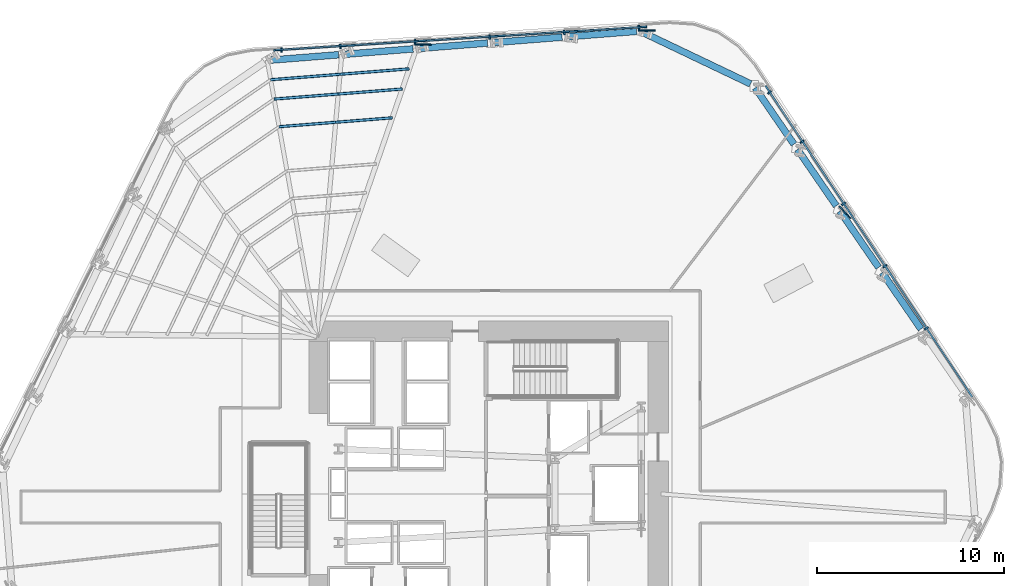
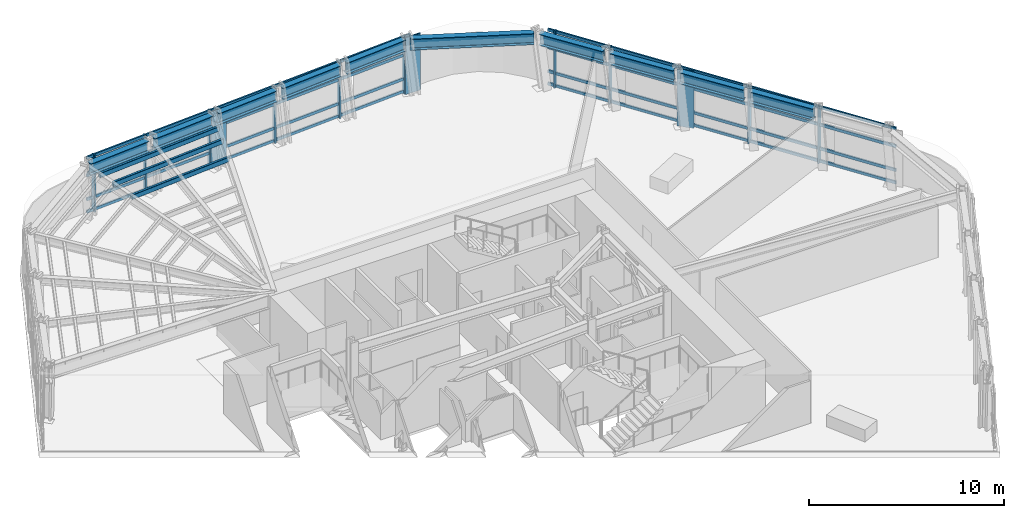
# One storey, part 6 of 15: 28 members, 10 beams, 2 elements without a shape of their own.
"""IFC4 building model written with IfcOpenShell, lengths in metres."""

from ifc_helpers import new_model, si_unit, direction, frame, origin, origin_2d, place, context, subcontext, project, spatial, rectangle, hollow_rectangle, i_section, extrude, material, layer, layer_set, material_profile, profile_set, type_object, element, aggregate, save


model = new_model("IFC4")

# Units and contexts
model_context = context("Model", 3, precision=1e-05, world=origin(), true_north=direction((0.0, 1.0)))
body_context = subcontext(model_context, "Body", "Model", "MODEL_VIEW")
ifc_project = project(units=[si_unit("LENGTHUNIT", "METRE"), si_unit("AREAUNIT", "SQUARE_METRE"), si_unit("VOLUMEUNIT", "CUBIC_METRE"), si_unit("PLANEANGLEUNIT", "RADIAN"), si_unit("MASSUNIT", "GRAM", prefix="KILO")], contexts=[model_context])

# Site, building, storey
site_placement = place(None, origin())
site = spatial("IfcSite", under=ifc_project, at=site_placement, CompositionType="ELEMENT")
building_placement = place(site_placement, origin())
building = spatial("IfcBuilding", under=site, at=building_placement, Name="Valkerne Bourse Tower", CompositionType="ELEMENT")
storey_placement = place(building_placement, frame((0.0, 0.0, 39.199951171875)))
storey = spatial("IfcBuildingStorey", under=building, at=storey_placement, Name="L09", CompositionType="ELEMENT", Elevation=39.199951171875)

# Beams
ifc_material_1 = material(Name="Steel ASTM A992", Category="steel")
ifc_material_profile_1 = material_profile(ifc_material_1, i_section(OverallWidth=0.358154296875, OverallDepth=0.7060546875, WebThickness=0.018310546875, FlangeThickness=0.0302734375, FilletRadius=0.02294921875, at=origin_2d()), Name="W27X178")
ifc_profile_set_1 = profile_set([ifc_material_profile_1], Name="Steel ASTM A992")
beam_type = type_object("IfcBeamType", Name="BM-W27X178", PredefinedType="SPANDREL", material=ifc_profile_set_1)
beam_1_placement = place(storey_placement, frame((69.904296875, 35.812255859375, 3.22705078125), z_axis=(-0.566418287264, 0.824117906523, 0.0), x_axis=(-0.824117906523, -0.566418287264, 0.0)))
element("IfcBeam", 1, at=beam_1_placement, inside=storey, type_object=beam_type, Name="L09 Hexagonal Spandrel Ring Beam 01", PredefinedType="SPANDREL", context=body_context, shape_type="SweptSolid", body=[
    extrude(i_section(OverallWidth=0.358154296875, OverallDepth=0.7060546875, WebThickness=0.018310546875, FlangeThickness=0.0302734375, FilletRadius=0.02294921875, at=origin_2d()), origin(), (0.0, 0.0, 1.0), 3.656005859375),
])
beam_2_placement = place(storey_placement, frame((67.640869140625, 39.10546875, 3.22705078125), z_axis=(-0.566372930471, 0.824149078522, 0.0), x_axis=(-0.824149078522, -0.566372930471, 0.0)))
element("IfcBeam", 2, at=beam_2_placement, inside=storey, type_object=beam_type, Name="L09 Hexagonal Spandrel Ring Beam 02", PredefinedType="SPANDREL", context=body_context, shape_type="SweptSolid", body=[
    extrude(i_section(OverallWidth=0.358154296875, OverallDepth=0.7060546875, WebThickness=0.018310546875, FlangeThickness=0.0302734375, FilletRadius=0.02294921875, at=origin_2d()), origin(), (0.0, 0.0, 1.0), 3.65576171875),
])
for number, where, z_axis, x_axis, name in (
    (3, (65.377685546875, 42.398681640625, 3.22705078125), (-0.566418287264, 0.824117906523, 0.0), (-0.824117906523, -0.566418287264, 0.0), "L09 Hexagonal Spandrel Ring Beam 03"),
    (4, (63.1142578125, 45.69189453125, 3.22705078125), (-0.566418287264, 0.824117906523, 0.0), (-0.824117906523, -0.566418287264, 0.0), "L09 Hexagonal Spandrel Ring Beam 04"),
):
    element("IfcBeam", number, at=place(storey_placement, frame(where, z_axis=z_axis, x_axis=x_axis)), inside=storey, type_object=beam_type, Name=name, PredefinedType="SPANDREL", context=body_context, shape_type="SweptSolid", body=[
        extrude(i_section(OverallWidth=0.358154296875, OverallDepth=0.7060546875, WebThickness=0.018310546875, FlangeThickness=0.0302734375, FilletRadius=0.02294921875, at=origin_2d()), origin(), (0.0, 0.0, 1.0), 3.656005859375),
    ])
beam_3_placement = place(storey_placement, frame((60.793701171875, 48.918212890625, 3.22705078125), z_axis=(-0.902587691013, 0.430506051099, 0.0), x_axis=(-0.430506051099, -0.902587691013, 0.0)))
element("IfcBeam", 5, at=beam_3_placement, inside=storey, type_object=beam_type, Name="L09 Hexagonal Spandrel Ring Beam 05", PredefinedType="SPANDREL", context=body_context, shape_type="SweptSolid", body=[
    extrude(i_section(OverallWidth=0.358154296875, OverallDepth=0.7060546875, WebThickness=0.018310546875, FlangeThickness=0.0302734375, FilletRadius=0.02294921875, at=origin_2d()), origin(), (0.0, 0.0, 1.0), 6.388916015625),
])
beam_4_placement = place(storey_placement, frame((54.7041015625, 51.728515625, 3.22705078125), z_axis=(-0.996916597594, -0.078468448699, 0.0), x_axis=(0.078468448699, -0.996916597594, 0.0)))
element("IfcBeam", 6, at=beam_4_placement, inside=storey, type_object=beam_type, Name="L09 Hexagonal Spandrel Ring Beam 06", PredefinedType="SPANDREL", context=body_context, shape_type="SweptSolid", body=[
    extrude(i_section(OverallWidth=0.358154296875, OverallDepth=0.7060546875, WebThickness=0.018310546875, FlangeThickness=0.0302734375, FilletRadius=0.02294921875, at=origin_2d()), origin(), (0.0, 0.0, 1.0), 3.65576171875),
])
for number, where, z_axis, x_axis, name in (
    (7, (50.720458984375, 51.4150390625, 3.22705078125), (-0.996917008748, -0.07846322495, 0.0), (0.07846322495, -0.996917008748, 0.0), "L09 Hexagonal Spandrel Ring Beam 07"),
    (8, (46.73681640625, 51.1015625, 3.22705078125), (-0.996917008748, -0.07846322495, 0.0), (0.07846322495, -0.996917008748, 0.0), "L09 Hexagonal Spandrel Ring Beam 08"),
    (9, (42.753173828125, 50.7880859375, 3.22705078125), (-0.996917008748, -0.07846322495, 0.0), (0.07846322495, -0.996917008748, 0.0), "L09 Hexagonal Spandrel Ring Beam 09"),
):
    element("IfcBeam", number, at=place(storey_placement, frame(where, z_axis=z_axis, x_axis=x_axis)), inside=storey, type_object=beam_type, Name=name, PredefinedType="SPANDREL", context=body_context, shape_type="SweptSolid", body=[
        extrude(i_section(OverallWidth=0.358154296875, OverallDepth=0.7060546875, WebThickness=0.018310546875, FlangeThickness=0.0302734375, FilletRadius=0.02294921875, at=origin_2d()), origin(), (0.0, 0.0, 1.0), 3.656005859375),
    ])
beam_5_placement = place(storey_placement, frame((38.769287109375, 50.474609375, 3.22705078125), z_axis=(-0.996911371317, -0.078534818641, 0.0), x_axis=(0.078534818641, -0.996911371317, 0.0)))
element("IfcBeam", 10, at=beam_5_placement, inside=storey, type_object=beam_type, Name="L09 Hexagonal Spandrel Ring Beam 10", PredefinedType="SPANDREL", context=body_context, shape_type="SweptSolid", body=[
    extrude(i_section(OverallWidth=0.358154296875, OverallDepth=0.7060546875, WebThickness=0.018310546875, FlangeThickness=0.0302734375, FilletRadius=0.02294921875, at=origin_2d()), origin(), (0.0, 0.0, 1.0), 3.65576171875),
])

# Curtain wall, members
ifc_material_2 = material(Name="Aluminium AA 6063-T6", Category="aluminium")
ifc_layer = layer(ifc_material_2, 0.22509765625)
ifc_layer_set = layer_set([ifc_layer], Name="Aluminium AA 6063-T6")
curtain_wall_type = type_object("IfcCurtainWallType", Name="CW-01", PredefinedType="NOTDEFINED", material=ifc_layer_set)
curtain_wall_1_placement = place(storey_placement, origin())
curtain_wall_1 = element("IfcCurtainWall", 11, at=curtain_wall_1_placement, inside=storey, type_object=curtain_wall_type, Name="L09 Hexagonal Stick Curtain Wall Face 1", PredefinedType="NOTDEFINED")
ifc_material_profile_2 = material_profile(ifc_material_2, rectangle(XDim=0.090087890625, YDim=0.239990234375, at=origin_2d()), Name="CWM-90X240")
ifc_profile_set_2 = profile_set([ifc_material_profile_2], Name="Aluminium AA 6063-T6")
member_type_1 = type_object("IfcMemberType", Name="CW-MUL-240X90", PredefinedType="MULLION", material=ifc_profile_set_2)
member_1_placement = place(storey_placement, frame((70.184814453125, 35.8447265625, 0.0), z_axis=(0.0, 0.0, 1.0), x_axis=(-0.553405918649, 0.832911693521, 0.0)))
member_1 = element("IfcMember", 12, at=member_1_placement, type_object=member_type_1, Name="CW-L09-F1 Jamb Mullion 01A", PredefinedType="MULLION", context=body_context, shape_type="SweptSolid", body=[
    extrude(rectangle(XDim=0.090087890625, YDim=0.239990234375, at=origin_2d()), origin(), (0.0, 0.0, 1.0), 3.580078125),
])
member_2_placement = place(storey_placement, frame((67.973388671875, 39.173095703125, 0.0), z_axis=(0.0, 0.0, 1.0), x_axis=(-0.553377022495, 0.832930892076, 0.0)))
member_2 = element("IfcMember", 13, at=member_2_placement, type_object=member_type_1, Name="CW-L09-F1 Jamb Mullion 02A", PredefinedType="MULLION", context=body_context, shape_type="SweptSolid", body=[
    extrude(rectangle(XDim=0.090087890625, YDim=0.239990234375, at=origin_2d()), origin(), (0.0, 0.0, 1.0), 3.580078125),
])
member_3_placement = place(storey_placement, frame((65.76220703125, 42.50146484375, 0.0), z_axis=(0.0, 0.0, 1.0), x_axis=(-0.553405918649, 0.832911693521, 0.0)))
member_3 = element("IfcMember", 14, at=member_3_placement, type_object=member_type_1, Name="CW-L09-F1 Jamb Mullion 03A", PredefinedType="MULLION", context=body_context, shape_type="SweptSolid", body=[
    extrude(rectangle(XDim=0.090087890625, YDim=0.239990234375, at=origin_2d()), origin(), (0.0, 0.0, 1.0), 3.580078125),
])
member_4_placement = place(storey_placement, frame((63.55078125, 45.82958984375, 0.0), z_axis=(0.0, 0.0, 1.0), x_axis=(-0.553377022495, 0.832930892076, 0.0)))
member_4 = element("IfcMember", 15, at=member_4_placement, type_object=member_type_1, Name="CW-L09-F1 Jamb Mullion 04A", PredefinedType="MULLION", context=body_context, shape_type="SweptSolid", body=[
    extrude(rectangle(XDim=0.090087890625, YDim=0.239990234375, at=origin_2d()), origin(), (0.0, 0.0, 1.0), 3.580078125),
])
member_5_placement = place(storey_placement, frame((61.80419921875, 48.45849609375, 0.0), z_axis=(0.0, 0.0, 1.0), x_axis=(-0.553377022495, 0.832930892076, 0.0)))
member_5 = element("IfcMember", 16, at=member_5_placement, type_object=member_type_1, Name="CW-L09-F1 Jamb Mullion 04B", PredefinedType="MULLION", context=body_context, shape_type="SweptSolid", body=[
    extrude(rectangle(XDim=0.090087890625, YDim=0.239990234375, at=origin_2d()), origin(), (0.0, 0.0, 1.0), 3.580078125),
])

curtain_wall_2_placement = place(storey_placement, origin())
curtain_wall_2 = element("IfcCurtainWall", 17, at=curtain_wall_2_placement, inside=storey, type_object=curtain_wall_type, Name="L09 Hexagonal Stick Curtain Wall Face 2", PredefinedType="NOTDEFINED")
member_6_placement = place(storey_placement, frame((54.82080078125, 51.925048828125, 0.0), z_axis=(0.0, 0.0, 1.0), x_axis=(-0.998025316519, -0.062812957155, 0.0)))
member_6 = element("IfcMember", 18, at=member_6_placement, type_object=member_type_1, Name="CW-L09-F2 Jamb Mullion 00A", PredefinedType="MULLION", context=body_context, shape_type="SweptSolid", body=[
    extrude(rectangle(XDim=0.090087890625, YDim=0.239990234375, at=origin_2d()), origin(), (0.0, 0.0, 1.0), 3.580078125),
])
member_7_placement = place(storey_placement, frame((50.832763671875, 51.674072265625, 0.0), z_axis=(0.0, 0.0, 1.0), x_axis=(-0.998026885005, -0.062788030758, 0.0)))
member_7 = element("IfcMember", 19, at=member_7_placement, type_object=member_type_1, Name="CW-L09-F2 Jamb Mullion 01A", PredefinedType="MULLION", context=body_context, shape_type="SweptSolid", body=[
    extrude(rectangle(XDim=0.090087890625, YDim=0.239990234375, at=origin_2d()), origin(), (0.0, 0.0, 1.0), 3.580078125),
])
member_8_placement = place(storey_placement, frame((46.844482421875, 51.423095703125, 0.0), z_axis=(0.0, 0.0, 1.0), x_axis=(-0.99802698366, -0.062786462608, 0.0)))
member_8 = element("IfcMember", 20, at=member_8_placement, type_object=member_type_1, Name="CW-L09-F2 Jamb Mullion 02A", PredefinedType="MULLION", context=body_context, shape_type="SweptSolid", body=[
    extrude(rectangle(XDim=0.090087890625, YDim=0.239990234375, at=origin_2d()), origin(), (0.0, 0.0, 1.0), 3.580078125),
])
member_9_placement = place(storey_placement, frame((42.8564453125, 51.17236328125, 0.0), z_axis=(0.0, 0.0, 1.0), x_axis=(-0.998026885005, -0.062788030758, 0.0)))
member_9 = element("IfcMember", 21, at=member_9_placement, type_object=member_type_1, Name="CW-L09-F2 Jamb Mullion 03A", PredefinedType="MULLION", context=body_context, shape_type="SweptSolid", body=[
    extrude(rectangle(XDim=0.090087890625, YDim=0.239990234375, at=origin_2d()), origin(), (0.0, 0.0, 1.0), 3.580078125),
])
member_10_placement = place(storey_placement, frame((38.868408203125, 50.92138671875, 0.0), z_axis=(0.0, 0.0, 1.0), x_axis=(-0.998026885005, -0.062788030758, 0.0)))
member_10 = element("IfcMember", 22, at=member_10_placement, type_object=member_type_1, Name="CW-L09-F2 Jamb Mullion 04A", PredefinedType="MULLION", context=body_context, shape_type="SweptSolid", body=[
    extrude(rectangle(XDim=0.090087890625, YDim=0.239990234375, at=origin_2d()), origin(), (0.0, 0.0, 1.0), 3.580078125),
])
member_11_placement = place(storey_placement, frame((35.718505859375, 50.72314453125, 0.0), z_axis=(0.0, 0.0, 1.0), x_axis=(-0.998026885005, -0.062788030758, 0.0)))
member_11 = element("IfcMember", 23, at=member_11_placement, type_object=member_type_1, Name="CW-L09-F2 Jamb Mullion 04B", PredefinedType="MULLION", context=body_context, shape_type="SweptSolid", body=[
    extrude(rectangle(XDim=0.090087890625, YDim=0.239990234375, at=origin_2d()), origin(), (0.0, 0.0, 1.0), 3.580078125),
])

# Member
ifc_material_profile_3 = material_profile(ifc_material_2, rectangle(XDim=0.090087890625, YDim=0.179931640625, at=origin_2d()), Name="CWT-90X180")
ifc_profile_set_3 = profile_set([ifc_material_profile_3], Name="Aluminium AA 6063-T6")
member_type_2 = type_object("IfcMemberType", Name="CW-TRN-180X90", PredefinedType="USERDEFINED", material=ifc_profile_set_3)
member_12_placement = place(storey_placement, frame((72.645263671875, 32.177490234375, 0.1201171875), z_axis=(-0.553393942162, 0.832919650853, 0.0), x_axis=(-0.832919650853, -0.553393942162, 0.0)))
member_12 = element("IfcMember", 24, at=member_12_placement, type_object=member_type_2, Name="CW-L09-F1 Continuous Face Transom 1", ObjectType="TRANSOM", PredefinedType="USERDEFINED", context=body_context, shape_type="SweptSolid", body=[
    extrude(rectangle(XDim=0.090087890625, YDim=0.179931640625, at=origin_2d()), origin(), (0.0, 0.0, 1.0), 19.980224609375),
])

member_13_placement = place(storey_placement, frame((72.645263671875, 32.177490234375, 0.900146484375), z_axis=(-0.553393942162, 0.832919650853, 0.0), x_axis=(-0.832919650853, -0.553393942162, 0.0)))
member_13 = element("IfcMember", 25, at=member_13_placement, type_object=member_type_2, Name="CW-L09-F1 Continuous Face Transom 2", ObjectType="TRANSOM", PredefinedType="USERDEFINED", context=body_context, shape_type="SweptSolid", body=[
    extrude(rectangle(XDim=0.090087890625, YDim=0.179931640625, at=origin_2d()), origin(), (0.0, 0.0, 1.0), 19.980224609375),
])

member_14_placement = place(storey_placement, frame((72.645263671875, 32.177490234375, 2.400146484375), z_axis=(-0.553393942162, 0.832919650853, 0.0), x_axis=(-0.832919650853, -0.553393942162, 0.0)))
member_14 = element("IfcMember", 26, at=member_14_placement, type_object=member_type_2, Name="CW-L09-F1 Continuous Face Transom 3", ObjectType="TRANSOM", PredefinedType="USERDEFINED", context=body_context, shape_type="SweptSolid", body=[
    extrude(rectangle(XDim=0.090087890625, YDim=0.179931640625, at=origin_2d()), origin(), (0.0, 0.0, 1.0), 19.980224609375),
])

member_15_placement = place(storey_placement, frame((72.645263671875, 32.177490234375, 3.5), z_axis=(-0.553393942162, 0.832919650853, 0.0), x_axis=(-0.832919650853, -0.553393942162, 0.0)))
member_15 = element("IfcMember", 27, at=member_15_placement, type_object=member_type_2, Name="CW-L09-F1 Continuous Face Transom 4", ObjectType="TRANSOM", PredefinedType="USERDEFINED", context=body_context, shape_type="SweptSolid", body=[
    extrude(rectangle(XDim=0.090087890625, YDim=0.179931640625, at=origin_2d()), origin(), (0.0, 0.0, 1.0), 19.980224609375),
])

aggregate(curtain_wall_1, [member_12, member_13, member_14, member_15, member_1, member_2, member_3, member_4, member_5])

member_16_placement = place(storey_placement, frame((55.23876953125, 51.971435546875, 0.1201171875), z_axis=(-0.998026484364, -0.062794398706, 0.0), x_axis=(0.062794398706, -0.998026484364, 0.0)))
member_16 = element("IfcMember", 28, at=member_16_placement, type_object=member_type_2, Name="CW-L09-F2 Continuous Face Transom 1", ObjectType="TRANSOM", PredefinedType="USERDEFINED", context=body_context, shape_type="SweptSolid", body=[
    extrude(rectangle(XDim=0.090087890625, YDim=0.179931640625, at=origin_2d()), origin(), (0.0, 0.0, 1.0), 19.980224609375),
])

member_17_placement = place(storey_placement, frame((55.23876953125, 51.971435546875, 0.900146484375), z_axis=(-0.998026484364, -0.062794398706, 0.0), x_axis=(0.062794398706, -0.998026484364, 0.0)))
member_17 = element("IfcMember", 29, at=member_17_placement, type_object=member_type_2, Name="CW-L09-F2 Continuous Face Transom 2", ObjectType="TRANSOM", PredefinedType="USERDEFINED", context=body_context, shape_type="SweptSolid", body=[
    extrude(rectangle(XDim=0.090087890625, YDim=0.179931640625, at=origin_2d()), origin(), (0.0, 0.0, 1.0), 19.980224609375),
])

member_18_placement = place(storey_placement, frame((55.23876953125, 51.971435546875, 2.400146484375), z_axis=(-0.998026484364, -0.062794398706, 0.0), x_axis=(0.062794398706, -0.998026484364, 0.0)))
member_18 = element("IfcMember", 30, at=member_18_placement, type_object=member_type_2, Name="CW-L09-F2 Continuous Face Transom 3", ObjectType="TRANSOM", PredefinedType="USERDEFINED", context=body_context, shape_type="SweptSolid", body=[
    extrude(rectangle(XDim=0.090087890625, YDim=0.179931640625, at=origin_2d()), origin(), (0.0, 0.0, 1.0), 19.980224609375),
])

member_19_placement = place(storey_placement, frame((55.23876953125, 51.971435546875, 3.5), z_axis=(-0.998026484364, -0.062794398706, 0.0), x_axis=(0.062794398706, -0.998026484364, 0.0)))
member_19 = element("IfcMember", 31, at=member_19_placement, type_object=member_type_2, Name="CW-L09-F2 Continuous Face Transom 4", ObjectType="TRANSOM", PredefinedType="USERDEFINED", context=body_context, shape_type="SweptSolid", body=[
    extrude(rectangle(XDim=0.090087890625, YDim=0.179931640625, at=origin_2d()), origin(), (0.0, 0.0, 1.0), 19.980224609375),
])

aggregate(curtain_wall_2, [member_16, member_17, member_18, member_19, member_6, member_7, member_8, member_9, member_10, member_11])

# Members
ifc_material_3 = material(Name="Bronze Anodised Aluminium AA 6063-T6", Category="aluminium")
ifc_material_profile_4 = material_profile(ifc_material_3, rectangle(XDim=0.070068359375, YDim=0.89990234375, at=origin_2d()), Name="FIN-70X900")
ifc_profile_set_4 = profile_set([ifc_material_profile_4], Name="Bronze Anodised Aluminium AA 6063-T6")
member_type_3 = type_object("IfcMemberType", Name="FIN-SOLAR-900", PredefinedType="USERDEFINED", material=ifc_profile_set_4)
for number, where, z_axis, x_axis, name in (
    (32, (65.844482421875, 42.052001953125, 0.004150390625), (0.0, 0.0, 1.0), (0.72979363219, 0.683667502822, 0.0), "L09 Bronze Anodised Solar Fin F1-03"),
    (33, (55.251220703125, 51.771728515625, 0.004150390625), (0.0, 0.0, 1.0), (0.008998399331, 0.999959513585, 0.0), "L09 Bronze Anodised Solar Fin F2-00"),
    (34, (43.286865234375, 51.01904296875, 0.004150390625), (0.0, 0.0, 1.0), (0.009017541343, 0.999959341147, 0.0), "L09 Bronze Anodised Solar Fin F2-03"),
):
    element("IfcMember", number, at=place(storey_placement, frame(where, z_axis=z_axis, x_axis=x_axis)), inside=storey, type_object=member_type_3, Name=name, ObjectType="SOLAR_FIN", PredefinedType="USERDEFINED", context=body_context, shape_type="SweptSolid", body=[
        extrude(rectangle(XDim=0.070068359375, YDim=0.89990234375, at=origin_2d()), origin(), (0.0, 0.0, 1.0), 3.57177734375),
    ])
ifc_material_4 = material(Name="Steel ASTM A500 Grade C", Category="steel")
ifc_material_profile_5 = material_profile(ifc_material_4, hollow_rectangle(XDim=0.14990234375, YDim=0.300048828125, WallThickness=0.012451171875, OuterFilletRadius=0.02490234375, at=origin_2d()), Name="HSS300X150X12.5")
ifc_profile_set_5 = profile_set([ifc_material_profile_5], Name="Steel ASTM A500 Grade C")
member_type_4 = type_object("IfcMemberType", Name="MBR-HSS300X150X12.5", PredefinedType="PURLIN", material=ifc_profile_set_5)
for number, where, z_axis, x_axis, name in (
    (35, (41.645263671875, 47.10498046875, 3.420166015625), (-0.996917207134, -0.078460704311, 0.0), (0.078460704311, -0.996917207134, 0.0), "L09 Secondary Composite Floor Purlin O-09"),
    (36, (38.61767578125, 46.86669921875, 3.420166015625), (-0.996917207134, -0.078460704311, 0.0), (0.078460704311, -0.996917207134, 0.0), "L09 Secondary Composite Floor Purlin O-10"),
):
    element("IfcMember", number, at=place(storey_placement, frame(where, z_axis=z_axis, x_axis=x_axis)), inside=storey, type_object=member_type_4, Name=name, PredefinedType="PURLIN", context=body_context, shape_type="SweptSolid", body=[
        extrude(hollow_rectangle(XDim=0.14990234375, YDim=0.300048828125, WallThickness=0.012451171875, OuterFilletRadius=0.02490234375, at=origin_2d()), origin(), (0.0, 0.0, 1.0), 3.036865234375),
    ])
member_20_placement = place(storey_placement, frame((42.177490234375, 48.645263671875, 3.420166015625), z_axis=(-0.996914115908, -0.078499971359, 0.0), x_axis=(0.078499971359, -0.996914115908, 0.0)))
element("IfcMember", 37, at=member_20_placement, inside=storey, type_object=member_type_4, Name="L09 Secondary Composite Floor Purlin T-09", PredefinedType="PURLIN", context=body_context, shape_type="SweptSolid", body=[
    extrude(hollow_rectangle(XDim=0.14990234375, YDim=0.300048828125, WallThickness=0.012451171875, OuterFilletRadius=0.02490234375, at=origin_2d()), origin(), (0.0, 0.0, 1.0), 3.4365234375),
])
member_21_placement = place(storey_placement, frame((38.75146484375, 48.37548828125, 3.420166015625), z_axis=(-0.996919235891, -0.078434922778, 0.0), x_axis=(0.078434922778, -0.996919235891, 0.0)))
element("IfcMember", 38, at=member_21_placement, inside=storey, type_object=member_type_4, Name="L09 Secondary Composite Floor Purlin T-10", PredefinedType="PURLIN", context=body_context, shape_type="SweptSolid", body=[
    extrude(hollow_rectangle(XDim=0.14990234375, YDim=0.300048828125, WallThickness=0.012451171875, OuterFilletRadius=0.02490234375, at=origin_2d()), origin(), (0.0, 0.0, 1.0), 3.436279296875),
])
for number, where, z_axis, x_axis, name in (
    (39, (42.550048828125, 49.723388671875, 3.420166015625), (-0.996913727556, -0.078504903093, 0.0), (0.078504903093, -0.996913727556, 0.0), "L09 Secondary Composite Floor Purlin U-09"),
    (40, (38.84521484375, 49.431640625, 3.420166015625), (-0.996918866867, -0.078439612984, 0.0), (0.078439612984, -0.996918866867, 0.0), "L09 Secondary Composite Floor Purlin U-10"),
):
    element("IfcMember", number, at=place(storey_placement, frame(where, z_axis=z_axis, x_axis=x_axis)), inside=storey, type_object=member_type_4, Name=name, PredefinedType="PURLIN", context=body_context, shape_type="SweptSolid", body=[
        extrude(hollow_rectangle(XDim=0.14990234375, YDim=0.300048828125, WallThickness=0.012451171875, OuterFilletRadius=0.02490234375, at=origin_2d()), origin(), (0.0, 0.0, 1.0), 3.71630859375),
    ])

save(model, "model.ifc")
